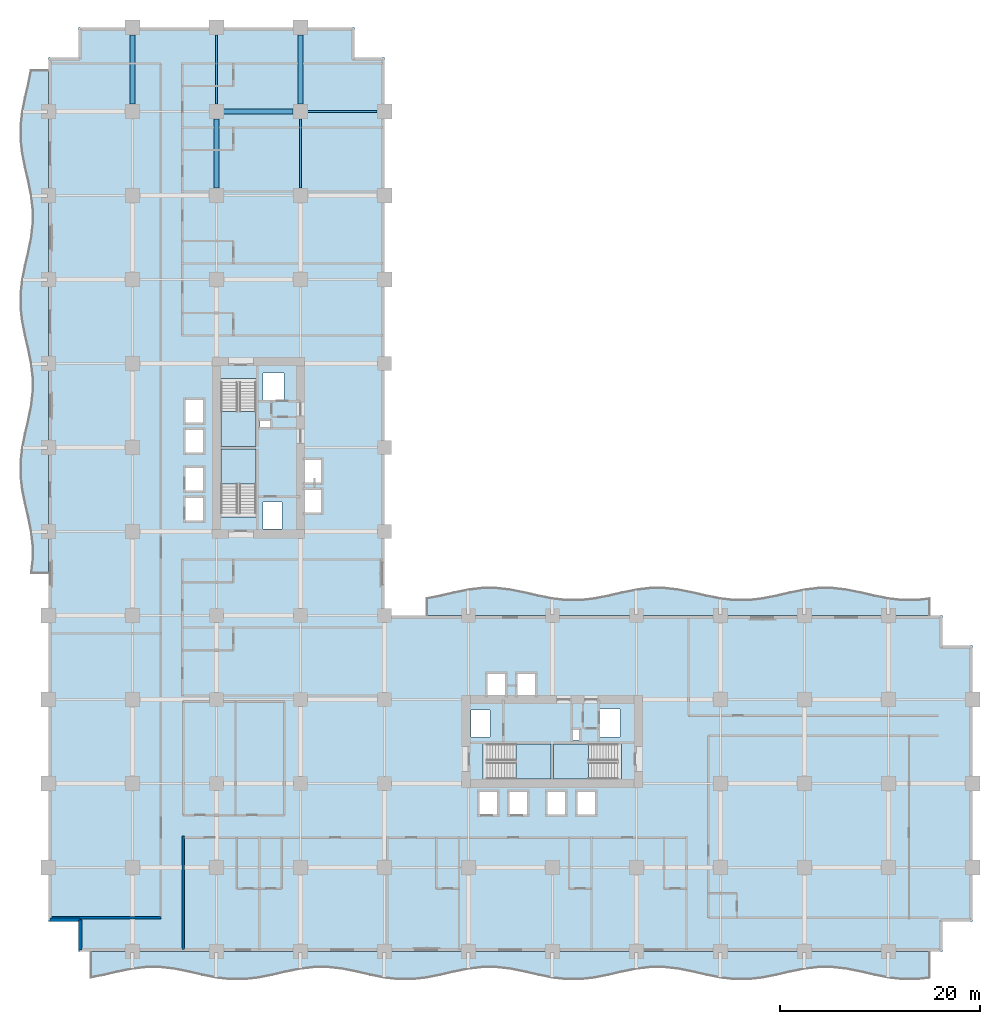
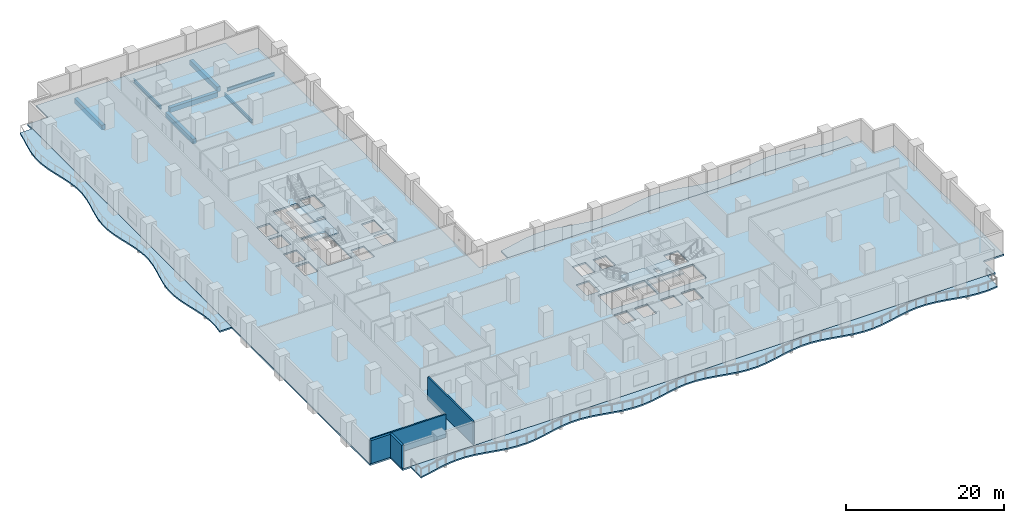
# One storey, part 3 of 20: 8 slabs, 7 beams, 4 walls, 4 elements without a shape of their own.
"""IFC4 building model written with IfcOpenShell, lengths in metres."""

from ifc_helpers import new_model, si_unit, direction, frame, frame_2d, origin, origin_2d, place, context, subcontext, project, spatial, polyline, rectangle, i_section, outline, extrude, material, layer, layer_set, material_profile, profile_set, type_object, element, aggregate, save


model = new_model("IFC4")

# Units and contexts
model_context = context("Model", 3, precision=1e-05, world=origin(), true_north=direction((0.0, 1.0)))
body_context = subcontext(model_context, "Body", "Model", "MODEL_VIEW")
ifc_project = project(units=[si_unit("LENGTHUNIT", "METRE"), si_unit("AREAUNIT", "SQUARE_METRE"), si_unit("VOLUMEUNIT", "CUBIC_METRE"), si_unit("PLANEANGLEUNIT", "RADIAN"), si_unit("MASSUNIT", "GRAM", prefix="KILO")], contexts=[model_context])

# Site, building, storey
site_placement = place(None, origin())
site = spatial("IfcSite", under=ifc_project, at=site_placement, CompositionType="ELEMENT")
building_placement = place(site_placement, origin())
building = spatial("IfcBuilding", under=site, at=building_placement, Name="Koriwani Terraces Tower", CompositionType="ELEMENT")
storey_placement = place(building_placement, frame((0.0, 0.0, 58.60009765625)))
storey = spatial("IfcBuildingStorey", under=building, at=storey_placement, Name="L13", CompositionType="ELEMENT", Elevation=58.60009765625)

# Beams
ifc_material_1 = material(Name="Concrete C50/60", Category="concrete")
ifc_material_profile_1 = material_profile(ifc_material_1, rectangle(XDim=0.5, YDim=0.75, at=origin_2d()), Name="Concrete C50/60", Category="LoadBearing")
ifc_profile_set_1 = profile_set([ifc_material_profile_1], Name="Concrete C50/60")
beam_type_1 = type_object("IfcBeamType", Name="BEAM_RC_GRID_500X750", PredefinedType="BEAM", material=ifc_profile_set_1)
for number, where, z_axis, x_axis, name in (
    (1, (17.530029296875, 84.0, -0.625), (1.0, 0.0, 0.0), (0.0, 1.0, 0.0), "L13 Grid Beam K (16.8-25.2m)"),
    (2, (8.39990234375, 84.72998046875, -0.625), (0.0, 1.0, 0.0), (-1.0, 0.0, 0.0), "L13 Grid Beam 2 (84.0-92.4m)"),
    (3, (16.800048828125, 76.330078125, -0.625), (0.0, 1.0, 0.0), (-1.0, 0.0, 0.0), "L13 Grid Beam 3 (75.6-84.0m)"),
    (4, (25.199951171875, 84.72998046875, -0.625), (0.0, 1.0, 0.0), (-1.0, 0.0, 0.0), "L13 Grid Beam 4 (84.0-92.4m)"),
):
    element("IfcBeam", number, at=place(storey_placement, frame(where, z_axis=z_axis, x_axis=x_axis)), inside=storey, type_object=beam_type_1, Name=name, PredefinedType="BEAM", context=body_context, shape_type="SweptSolid", body=[
        extrude(rectangle(XDim=0.5, YDim=0.75, at=origin_2d()), origin(), (0.0, 0.0, 1.0), 6.93994140625),
    ])
ifc_material_2 = material(Name="Steel ASTM A572 Grade 50", Category="steel")
ifc_material_profile_2 = material_profile(ifc_material_2, i_section(OverallWidth=0.2109375, OverallDepth=0.5390625, WebThickness=0.01171875, FlangeThickness=0.018798828125, at=origin_2d()), Name="Steel ASTM A572 Grade 50", Category="LoadBearing")
ifc_profile_set_2 = profile_set([ifc_material_profile_2], Name="Steel ASTM A572 Grade 50")
beam_type_2 = type_object("IfcBeamType", Name="STEEL_BEAM_W530X109", PredefinedType="BEAM", material=ifc_profile_set_2)
beam_placement = place(storey_placement, frame((25.929931640625, 84.0, -0.51953125), z_axis=(1.0, 0.0, 0.0), x_axis=(0.0, 1.0, 0.0)))
element("IfcBeam", 5, at=beam_placement, inside=storey, type_object=beam_type_2, Name="L13 Grid Beam K (25.2-33.6m)", PredefinedType="BEAM", context=body_context, shape_type="SweptSolid", body=[
    extrude(i_section(OverallWidth=0.2109375, OverallDepth=0.5390625, WebThickness=0.01171875, FlangeThickness=0.018798828125, at=origin_2d()), origin(), (0.0, 0.0, 1.0), 6.940185546875),
])
for number, where, z_axis, x_axis, name in (
    (6, (16.800048828125, 84.72998046875, -0.51953125), (0.0, 1.0, 0.0), (-1.0, 0.0, 0.0), "L13 Grid Beam 3 (84.0-92.4m)"),
    (7, (25.199951171875, 76.330078125, -0.51953125), (0.0, 1.0, 0.0), (-1.0, 0.0, 0.0), "L13 Grid Beam 4 (75.6-84.0m)"),
):
    element("IfcBeam", number, at=place(storey_placement, frame(where, z_axis=z_axis, x_axis=x_axis)), inside=storey, type_object=beam_type_2, Name=name, PredefinedType="BEAM", context=body_context, shape_type="SweptSolid", body=[
        extrude(i_section(OverallWidth=0.2109375, OverallDepth=0.5390625, WebThickness=0.01171875, FlangeThickness=0.018798828125, at=origin_2d()), origin(), (0.0, 0.0, 1.0), 6.93994140625),
    ])

# Slabs
ifc_material_3 = material(Name="Concrete C40/50", Category="concrete")
ifc_layer_1 = layer(ifc_material_3, 0.219970703125, Name="Concrete C40/50")
ifc_layer_set_1 = layer_set([ifc_layer_1], Name="Concrete C40/50")
slab_type_1 = type_object("IfcSlabType", Name="SLAB_BALCONY_220", PredefinedType="FLOOR", material=ifc_layer_set_1)
slab_1_placement = place(storey_placement, frame((0.0, 0.0, -0.22021484375)))
element("IfcSlab", 8, at=slab_1_placement, inside=storey, type_object=slab_type_1, Name="L13 Quilted Circular-Arc Balcony (S)", PredefinedType="FLOOR", context=body_context, shape_type="SweptSolid", body=[
    extrude(outline(polyline([(4.199951171875, 0.0), (5.60009765625, 0.0), (7.0, 0.0), (8.39990234375, 0.0), (9.800048828125, 0.0), (11.199951171875, 0.0), (12.60009765625, 0.0), (14.0, 0.0), (15.39990234375, 0.0), (16.800048828125, 0.0), (18.199951171875, 0.0), (19.60009765625, 0.0), (21.0, 0.0), (22.39990234375, 0.0), (23.800048828125, 0.0), (25.199951171875, 0.0), (26.60009765625, 0.0), (28.0, 0.0), (29.39990234375, 0.0), (30.800048828125, 0.0), (32.199951171875, 0.0), (33.60009765625, 0.0), (35.0, 0.0), (36.39990234375, 0.0), (37.800048828125, 0.0), (39.199951171875, 0.0), (40.60009765625, 0.0), (42.0, 0.0), (43.39990234375, 0.0), (44.800048828125, 0.0), (46.199951171875, 0.0), (47.60009765625, 0.0), (49.0, 0.0), (50.39990234375, 0.0), (51.800048828125, 0.0), (53.199951171875, 0.0), (54.60009765625, 0.0), (56.0, 0.0), (57.39990234375, 0.0), (58.800048828125, 0.0), (60.199951171875, 0.0), (61.60009765625, 0.0), (63.0, 0.0), (64.39990234375, 0.0), (65.800048828125, 0.0), (67.199951171875, 0.0), (68.60009765625, 0.0), (70.0, 0.0), (71.39990234375, 0.0), (72.800048828125, 0.0), (74.199951171875, 0.0), (75.60009765625, 0.0), (77.0, 0.0), (78.39990234375, 0.0), (79.800048828125, 0.0), (81.199951171875, 0.0), (82.60009765625, 0.0), (84.0, 0.0), (85.39990234375, 0.0), (86.800048828125, 0.0), (88.199951171875, 0.0), (88.199951171875, -2.6669921875), (86.800048828125, -2.82861328125), (85.39990234375, -2.82861328125), (84.0, -2.6669921875), (82.60009765625, -2.38671875), (81.199951171875, -2.063232421875), (79.800048828125, -1.783203125), (78.39990234375, -1.621337890625), (77.0, -1.621337890625), (75.60009765625, -1.783203125), (74.199951171875, -2.063232421875), (72.800048828125, -2.38671875), (71.39990234375, -2.6669921875), (70.0, -2.82861328125), (68.60009765625, -2.82861328125), (67.199951171875, -2.6669921875), (65.800048828125, -2.38671875), (64.39990234375, -2.063232421875), (63.0, -1.783203125), (61.60009765625, -1.621337890625), (60.199951171875, -1.621337890625), (58.800048828125, -1.783203125), (57.39990234375, -2.063232421875), (56.0, -2.38671875), (54.60009765625, -2.6669921875), (53.199951171875, -2.82861328125), (51.800048828125, -2.82861328125), (50.39990234375, -2.6669921875), (49.0, -2.38671875), (47.60009765625, -2.063232421875), (46.199951171875, -1.783203125), (44.800048828125, -1.621337890625), (43.39990234375, -1.621337890625), (42.0, -1.783203125), (40.60009765625, -2.063232421875), (39.199951171875, -2.38671875), (37.800048828125, -2.6669921875), (36.39990234375, -2.82861328125), (35.0, -2.82861328125), (33.60009765625, -2.6669921875), (32.199951171875, -2.38671875), (30.800048828125, -2.063232421875), (29.39990234375, -1.783203125), (28.0, -1.621337890625), (26.60009765625, -1.621337890625), (25.199951171875, -1.783203125), (23.800048828125, -2.063232421875), (22.39990234375, -2.38671875), (21.0, -2.6669921875), (19.60009765625, -2.82861328125), (18.199951171875, -2.82861328125), (16.800048828125, -2.6669921875), (15.39990234375, -2.38671875), (14.0, -2.063232421875), (12.60009765625, -1.783203125), (11.199951171875, -1.621337890625), (9.800048828125, -1.621337890625), (8.39990234375, -1.783203125), (7.0, -2.063232421875), (5.60009765625, -2.38671875), (4.199951171875, -2.6669921875), (4.199951171875, 0.0)])), origin(), (0.0, 0.0, 1.0), 0.22021484375),
])
slab_2_placement = place(storey_placement, frame((0.0, 0.0, -0.22021484375)))
element("IfcSlab", 9, at=slab_2_placement, inside=storey, type_object=slab_type_1, Name="L13 Quilted Circular-Arc Balcony (W)", PredefinedType="FLOOR", context=body_context, shape_type="SweptSolid", body=[
    extrude(outline(polyline([(0.0, 37.800048828125), (0.0, 39.199951171875), (0.0, 40.60009765625), (0.0, 42.0), (0.0, 43.39990234375), (0.0, 44.800048828125), (0.0, 46.199951171875), (0.0, 47.60009765625), (0.0, 49.0), (0.0, 50.39990234375), (0.0, 51.800048828125), (0.0, 53.199951171875), (0.0, 54.60009765625), (0.0, 56.0), (0.0, 57.39990234375), (0.0, 58.800048828125), (0.0, 60.199951171875), (0.0, 61.60009765625), (0.0, 63.0), (0.0, 64.39990234375), (0.0, 65.800048828125), (0.0, 67.199951171875), (0.0, 68.60009765625), (0.0, 70.0), (0.0, 71.39990234375), (0.0, 72.800048828125), (0.0, 74.199951171875), (0.0, 75.60009765625), (0.0, 77.0), (0.0, 78.39990234375), (0.0, 79.800048828125), (0.0, 81.199951171875), (0.0, 82.60009765625), (0.0, 84.0), (0.0, 85.39990234375), (0.0, 86.800048828125), (0.0, 88.199951171875), (-1.783203125, 88.199951171875), (-2.063232421875, 86.800048828125), (-2.38671875, 85.39990234375), (-2.6669921875, 84.0), (-2.82861328125, 82.60009765625), (-2.82861328125, 81.199951171875), (-2.6669921875, 79.800048828125), (-2.38671875, 78.39990234375), (-2.063232421875, 77.0), (-1.783203125, 75.60009765625), (-1.621337890625, 74.199951171875), (-1.621337890625, 72.800048828125), (-1.783203125, 71.39990234375), (-2.063232421875, 70.0), (-2.38671875, 68.60009765625), (-2.6669921875, 67.199951171875), (-2.82861328125, 65.800048828125), (-2.82861328125, 64.39990234375), (-2.6669921875, 63.0), (-2.38671875, 61.60009765625), (-2.063232421875, 60.199951171875), (-1.783203125, 58.800048828125), (-1.621337890625, 57.39990234375), (-1.621337890625, 56.0), (-1.783203125, 54.60009765625), (-2.063232421875, 53.199951171875), (-2.38671875, 51.800048828125), (-2.6669921875, 50.39990234375), (-2.82861328125, 49.0), (-2.82861328125, 47.60009765625), (-2.6669921875, 46.199951171875), (-2.38671875, 44.800048828125), (-2.063232421875, 43.39990234375), (-1.783203125, 42.0), (-1.621337890625, 40.60009765625), (-1.621337890625, 39.199951171875), (-1.783203125, 37.800048828125), (0.0, 37.800048828125)])), origin(), (0.0, 0.0, 1.0), 0.22021484375),
])
slab_3_placement = place(storey_placement, frame((0.0, 0.0, -0.22021484375)))
element("IfcSlab", 10, at=slab_3_placement, inside=storey, type_object=slab_type_1, Name="L13 Quilted Circular-Arc Balcony (NE)", PredefinedType="FLOOR", context=body_context, shape_type="SweptSolid", body=[
    extrude(outline(polyline([(88.199951171875, 33.60009765625), (86.800048828125, 33.60009765625), (85.39990234375, 33.60009765625), (84.0, 33.60009765625), (82.60009765625, 33.60009765625), (81.199951171875, 33.60009765625), (79.800048828125, 33.60009765625), (78.39990234375, 33.60009765625), (77.0, 33.60009765625), (75.60009765625, 33.60009765625), (74.199951171875, 33.60009765625), (72.800048828125, 33.60009765625), (71.39990234375, 33.60009765625), (70.0, 33.60009765625), (68.60009765625, 33.60009765625), (67.199951171875, 33.60009765625), (65.800048828125, 33.60009765625), (64.39990234375, 33.60009765625), (63.0, 33.60009765625), (61.60009765625, 33.60009765625), (60.199951171875, 33.60009765625), (58.800048828125, 33.60009765625), (57.39990234375, 33.60009765625), (56.0, 33.60009765625), (54.60009765625, 33.60009765625), (53.199951171875, 33.60009765625), (51.800048828125, 33.60009765625), (50.39990234375, 33.60009765625), (49.0, 33.60009765625), (47.60009765625, 33.60009765625), (46.199951171875, 33.60009765625), (44.800048828125, 33.60009765625), (43.39990234375, 33.60009765625), (42.0, 33.60009765625), (40.60009765625, 33.60009765625), (39.199951171875, 33.60009765625), (37.800048828125, 33.60009765625), (37.800048828125, 35.383056640625), (39.199951171875, 35.6630859375), (40.60009765625, 35.98681640625), (42.0, 36.266845703125), (43.39990234375, 36.4287109375), (44.800048828125, 36.4287109375), (46.199951171875, 36.266845703125), (47.60009765625, 35.98681640625), (49.0, 35.6630859375), (50.39990234375, 35.383056640625), (51.800048828125, 35.22119140625), (53.199951171875, 35.22119140625), (54.60009765625, 35.383056640625), (56.0, 35.6630859375), (57.39990234375, 35.98681640625), (58.800048828125, 36.266845703125), (60.199951171875, 36.4287109375), (61.60009765625, 36.4287109375), (63.0, 36.266845703125), (64.39990234375, 35.98681640625), (65.800048828125, 35.6630859375), (67.199951171875, 35.383056640625), (68.60009765625, 35.22119140625), (70.0, 35.22119140625), (71.39990234375, 35.383056640625), (72.800048828125, 35.6630859375), (74.199951171875, 35.98681640625), (75.60009765625, 36.266845703125), (77.0, 36.4287109375), (78.39990234375, 36.4287109375), (79.800048828125, 36.266845703125), (81.199951171875, 35.98681640625), (82.60009765625, 35.6630859375), (84.0, 35.383056640625), (85.39990234375, 35.22119140625), (86.800048828125, 35.22119140625), (88.199951171875, 35.383056640625), (88.199951171875, 33.60009765625)])), origin(), (0.0, 0.0, 1.0), 0.22021484375),
])

# Stair, slab
stair_type = type_object("IfcStairType", Name="STAIR_CORE_DOGLEG_1650", PredefinedType="TWO_STRAIGHT_RUN_STAIR", material=ifc_material_3)
stair_1_placement = place(storey_placement, origin())
stair_1 = element("IfcStair", 11, at=stair_1_placement, inside=storey, type_object=stair_type, Name="L13 West Core Exit Stair 1", PredefinedType="HALF_TURN_STAIR")
ifc_layer_2 = layer(ifc_material_3, 0.199951171875, Name="Concrete C40/50")
ifc_layer_set_2 = layer_set([ifc_layer_2], Name="Concrete C40/50")
slab_type_2 = type_object("IfcSlabType", Name="SLAB_STAIR_LANDING_200", PredefinedType="LANDING", material=ifc_layer_set_2)
slab_4_placement = place(storey_placement, frame((0.0, 0.0, 1.699951171875)))
slab_4 = element("IfcSlab", 12, at=slab_4_placement, type_object=slab_type_2, Name="ST-W1 landing 1", PredefinedType="LANDING", context=body_context, shape_type="SweptSolid", body=[
    extrude(outline(polyline([(20.75, 46.75), (20.75, 50.25), (17.25, 50.25), (17.25, 46.75), (20.75, 46.75)])), origin(), (0.0, 0.0, 1.0), 0.199951171875),
])
aggregate(stair_1, [slab_4])

stair_2_placement = place(storey_placement, origin())
stair_2 = element("IfcStair", 13, at=stair_2_placement, inside=storey, type_object=stair_type, Name="L13 West Core Exit Stair 2", PredefinedType="HALF_TURN_STAIR")
slab_5_placement = place(storey_placement, frame((0.0, 0.0, 1.699951171875)))
slab_5 = element("IfcSlab", 14, at=slab_5_placement, type_object=slab_type_2, Name="ST-W2 landing 1", PredefinedType="LANDING", context=body_context, shape_type="SweptSolid", body=[
    extrude(outline(polyline([(17.25, 54.0), (17.25, 50.5), (20.75, 50.5), (20.75, 54.0), (17.25, 54.0)])), origin(), (0.0, 0.0, 1.0), 0.199951171875),
])
aggregate(stair_2, [slab_5])

stair_3_placement = place(storey_placement, origin())
stair_3 = element("IfcStair", 15, at=stair_3_placement, inside=storey, type_object=stair_type, Name="L13 East Core Exit Stair 1", PredefinedType="HALF_TURN_STAIR")
slab_6_placement = place(storey_placement, frame((0.0, 0.0, 1.699951171875)))
slab_6 = element("IfcSlab", 16, at=slab_6_placement, type_object=slab_type_2, Name="ST-E1 landing 1", PredefinedType="LANDING", context=body_context, shape_type="SweptSolid", body=[
    extrude(outline(polyline([(46.75, 17.25), (50.25, 17.25), (50.25, 20.75), (46.75, 20.75), (46.75, 17.25)])), origin(), (0.0, 0.0, 1.0), 0.199951171875),
])
aggregate(stair_3, [slab_6])

stair_4_placement = place(storey_placement, origin())
stair_4 = element("IfcStair", 17, at=stair_4_placement, inside=storey, type_object=stair_type, Name="L13 East Core Exit Stair 2", PredefinedType="HALF_TURN_STAIR")
slab_7_placement = place(storey_placement, frame((0.0, 0.0, 1.699951171875)))
slab_7 = element("IfcSlab", 18, at=slab_7_placement, type_object=slab_type_2, Name="ST-E2 landing 1", PredefinedType="LANDING", context=body_context, shape_type="SweptSolid", body=[
    extrude(outline(polyline([(54.0, 20.75), (50.5, 20.75), (50.5, 17.25), (54.0, 17.25), (54.0, 20.75)])), origin(), (0.0, 0.0, 1.0), 0.199951171875),
])
aggregate(stair_4, [slab_7])

# Slab
ifc_layer_3 = layer(ifc_material_3, 0.25, Name="Concrete C40/50")
ifc_layer_set_3 = layer_set([ifc_layer_3], Name="Concrete C40/50")
slab_type_3 = type_object("IfcSlabType", Name="SLAB_TOWER_TYP_250", PredefinedType="FLOOR", material=ifc_layer_set_3)
slab_8_placement = place(storey_placement, frame((0.0, 0.0, -0.25)))
element("IfcSlab", 19, at=slab_8_placement, inside=storey, type_object=slab_type_3, Name="L13 Structural Floor Slab", PredefinedType="FLOOR", context=body_context, shape_type="SweptSolid", body=[
    extrude(outline(polyline([(3.0, 0.0), (89.39990234375, 0.0), (89.39990234375, 3.0), (92.39990234375, 3.0), (92.39990234375, 30.60009765625), (89.39990234375, 30.60009765625), (89.39990234375, 33.60009765625), (33.60009765625, 33.60009765625), (33.60009765625, 89.39990234375), (30.60009765625, 89.39990234375), (30.60009765625, 92.39990234375), (3.0, 92.39990234375), (3.0, 89.39990234375), (0.0, 89.39990234375), (0.0, 3.0), (3.0, 3.0), (3.0, 0.0)]), holes=[polyline([(17.25, 43.4599609375), (20.75, 43.4599609375), (20.75, 50.25), (17.25, 50.25), (17.25, 43.4599609375)]), polyline([(17.25, 50.5), (20.75, 50.5), (20.75, 57.2900390625), (17.25, 57.2900390625), (17.25, 50.5)]), polyline([(43.4599609375, 17.25), (50.25, 17.25), (50.25, 20.75), (43.4599609375, 20.75), (43.4599609375, 17.25)]), polyline([(50.5, 17.25), (57.2900390625, 17.25), (57.2900390625, 20.75), (50.5, 20.75), (50.5, 17.25)]), polyline([(13.64990234375, 43.050048828125), (15.550048828125, 43.050048828125), (15.550048828125, 45.449951171875), (13.64990234375, 45.449951171875), (13.64990234375, 43.050048828125)]), polyline([(13.64990234375, 46.050048828125), (15.550048828125, 46.050048828125), (15.550048828125, 48.449951171875), (13.64990234375, 48.449951171875), (13.64990234375, 46.050048828125)]), polyline([(43.050048828125, 13.64990234375), (44.949951171875, 13.64990234375), (44.949951171875, 16.050048828125), (43.050048828125, 16.050048828125), (43.050048828125, 13.64990234375)]), polyline([(46.050048828125, 13.64990234375), (47.949951171875, 13.64990234375), (47.949951171875, 16.050048828125), (46.050048828125, 16.050048828125), (46.050048828125, 13.64990234375)]), polyline([(13.64990234375, 49.85009765625), (15.550048828125, 49.85009765625), (15.550048828125, 52.25), (13.64990234375, 52.25), (13.64990234375, 49.85009765625)]), polyline([(13.64990234375, 52.85009765625), (15.550048828125, 52.85009765625), (15.550048828125, 55.25), (13.64990234375, 55.25), (13.64990234375, 52.85009765625)]), polyline([(49.85009765625, 13.64990234375), (51.75, 13.64990234375), (51.75, 16.050048828125), (49.85009765625, 16.050048828125), (49.85009765625, 13.64990234375)]), polyline([(52.85009765625, 13.64990234375), (54.75, 13.64990234375), (54.75, 16.050048828125), (52.85009765625, 16.050048828125), (52.85009765625, 13.64990234375)]), polyline([(25.449951171875, 43.85009765625), (27.35009765625, 43.85009765625), (27.35009765625, 46.25), (25.449951171875, 46.25), (25.449951171875, 43.85009765625)]), polyline([(25.449951171875, 46.85009765625), (27.35009765625, 46.85009765625), (27.35009765625, 49.25), (25.449951171875, 49.25), (25.449951171875, 46.85009765625)]), polyline([(43.85009765625, 25.449951171875), (45.75, 25.449951171875), (45.75, 27.85009765625), (43.85009765625, 27.85009765625), (43.85009765625, 25.449951171875)]), polyline([(46.85009765625, 25.449951171875), (48.75, 25.449951171875), (48.75, 27.85009765625), (46.85009765625, 27.85009765625), (46.85009765625, 25.449951171875)]), polyline([(21.449951171875, 55.050048828125), (23.550048828125, 55.050048828125), (23.550048828125, 57.85009765625), (21.449951171875, 57.85009765625), (21.449951171875, 55.050048828125)]), polyline([(55.050048828125, 21.449951171875), (57.14990234375, 21.449951171875), (57.14990234375, 24.25), (55.050048828125, 24.25), (55.050048828125, 21.449951171875)]), polyline([(21.449951171875, 42.25), (23.35009765625, 42.25), (23.35009765625, 44.949951171875), (21.449951171875, 44.949951171875), (21.449951171875, 42.25)]), polyline([(42.25, 21.449951171875), (44.14990234375, 21.449951171875), (44.14990234375, 24.14990234375), (42.25, 24.14990234375), (42.25, 21.449951171875)]), polyline([(21.14990234375, 52.419921875), (22.219970703125, 52.419921875), (22.219970703125, 53.179931640625), (21.14990234375, 53.179931640625), (21.14990234375, 52.419921875)]), polyline([(52.419921875, 21.14990234375), (53.179931640625, 21.14990234375), (53.179931640625, 22.219970703125), (52.419921875, 22.219970703125), (52.419921875, 21.14990234375)])]), origin(), (0.0, 0.0, 1.0), 0.25),
])

# Walls
ifc_material_4 = material(Name="Autoclaved Cellular Concrete Blockwork", Category="masonry")
ifc_layer_4 = layer(ifc_material_4, 0.219970703125, Name="Autoclaved Cellular Concrete Blockwork")
ifc_layer_set_4 = layer_set([ifc_layer_4], Name="Autoclaved Cellular Concrete Blockwork")
wall_type_1 = type_object("IfcWallType", Name="WALL_DEMISING_220", PredefinedType="PARTITIONING", material=ifc_layer_set_4)
wall_1_placement = place(storey_placement, frame((0.300048828125, 3.39990234375, 0.0), z_axis=(0.0, 0.0, 1.0), x_axis=(1.0, 0.0, 0.0)))
element("IfcWall", 20, at=wall_1_placement, inside=storey, type_object=wall_type_1, Name="L13 Interior Wall WZ1NWCLS-L13", PredefinedType="PARTITIONING", context=body_context, shape_type="SweptSolid", body=[
    extrude(rectangle(XDim=10.949951171875, YDim=0.219970703125, at=frame_2d((5.47509765625, 0.0))), origin(), (0.0, 0.0, 1.0), 3.5498046875),
])
wall_2_placement = place(storey_placement, frame((13.5, 0.199951171875, 0.0), z_axis=(0.0, 0.0, 1.0), x_axis=(0.0, 1.0, 0.0)))
element("IfcWall", 21, at=wall_2_placement, inside=storey, type_object=wall_type_1, Name="L13 Interior Wall WDEM-L13-SW-0", PredefinedType="PARTITIONING", context=body_context, shape_type="SweptSolid", body=[
    extrude(rectangle(XDim=11.380126953125, YDim=0.219970703125, at=frame_2d((5.68994140625, 0.0))), origin(), (0.0, 0.0, 1.0), 3.5498046875),
])
ifc_layer_5 = layer(ifc_material_1, 0.35009765625, Name="Concrete C50/60")
ifc_layer_set_5 = layer_set([ifc_layer_5], Name="Concrete C50/60")
wall_type_2 = type_object("IfcWallType", Name="WALL_EXT_BRUTALIST_350", PredefinedType="STANDARD", material=ifc_layer_set_5)
for number, where, z_axis, x_axis, name in (
    (22, (3.175048828125, 0.175048828125, 0.0), (0.0, 0.0, 1.0), (0.0, 1.0, 0.0), "L13 Fair-Faced Brutalist Exterior Wall (N0)"),
    (23, (3.175048828125, 3.175048828125, 0.0), (0.0, 0.0, 1.0), (-1.0, 0.0, 0.0), "L13 Fair-Faced Brutalist Exterior Wall (N1)"),
):
    element("IfcWall", number, at=place(storey_placement, frame(where, z_axis=z_axis, x_axis=x_axis)), inside=storey, type_object=wall_type_2, Name=name, PredefinedType="STANDARD", context=body_context, shape_type="SweptSolid", body=[
        extrude(rectangle(XDim=3.0, YDim=0.35009765625, at=frame_2d((1.5, 0.0))), origin(), (0.0, 0.0, 1.0), 3.5498046875),
    ])

save(model, "model.ifc")
